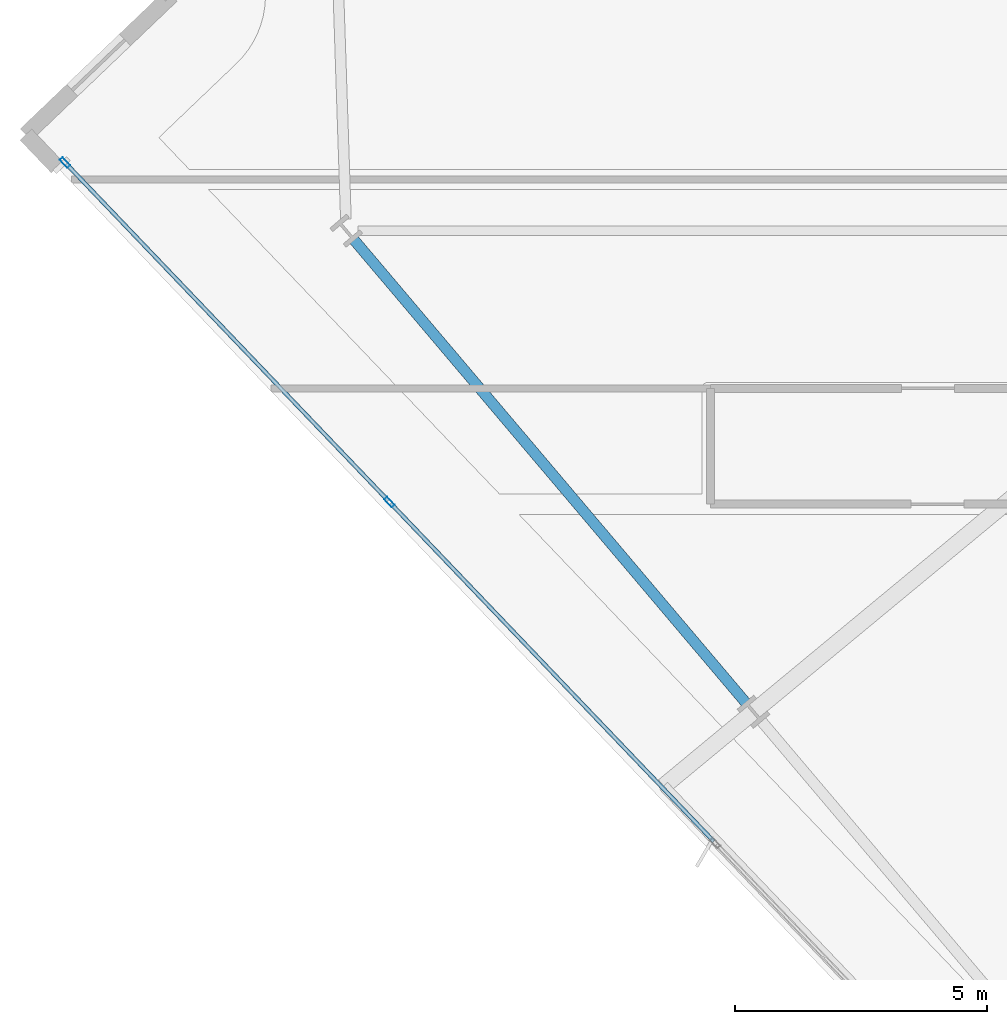
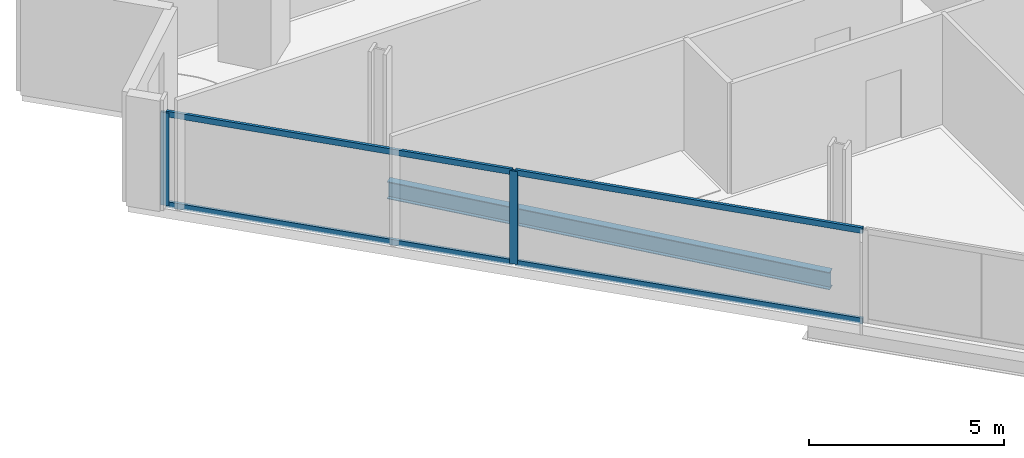
# One storey, part 4 of 33: 6 members, 1 beam, 1 element without a shape of its own.
"""IFC4 building model written with IfcOpenShell, lengths in metres."""

from ifc_helpers import new_model, si_unit, direction, frame, origin, origin_2d, place, context, subcontext, project, spatial, hollow_rectangle, i_section, extrude, material, material_profile, profile_set, type_object, element, aggregate, save


model = new_model("IFC4")

# Units and contexts
model_context = context("Model", 3, precision=1e-05, world=origin(), true_north=direction((0.0, 1.0)))
body_context = subcontext(model_context, "Body", "Model", "MODEL_VIEW")
ifc_project = project(units=[si_unit("LENGTHUNIT", "METRE"), si_unit("AREAUNIT", "SQUARE_METRE"), si_unit("VOLUMEUNIT", "CUBIC_METRE"), si_unit("PLANEANGLEUNIT", "RADIAN"), si_unit("MASSUNIT", "GRAM", prefix="KILO")], contexts=[model_context])

# Site, building, storey
site_placement = place(None, origin())
site = spatial("IfcSite", under=ifc_project, at=site_placement, CompositionType="ELEMENT")
building_placement = place(site_placement, origin())
building = spatial("IfcBuilding", under=site, at=building_placement, Name="Haldenkirk Collegiate Tower", CompositionType="ELEMENT")
storey_placement = place(building_placement, frame((0.0, 0.0, 174.449951171875)))
storey = spatial("IfcBuildingStorey", under=building, at=storey_placement, Name="L43", CompositionType="ELEMENT", Elevation=174.449951171875)

# Beam
ifc_material_1 = material(Name="Steel ASTM A992 Grade 50", Category="steel")
ifc_material_profile_1 = material_profile(ifc_material_1, i_section(OverallWidth=0.2119140625, OverallDepth=0.5439453125, WebThickness=0.01318359375, FlangeThickness=0.021240234375, at=origin_2d()), Name="W21X83")
ifc_profile_set_1 = profile_set([ifc_material_profile_1], Name="Steel ASTM A992 Grade 50")
beam_type = type_object("IfcBeamType", Name="BM-SPANDREL-W21X83", PredefinedType="SPANDREL", material=ifc_profile_set_1)
beam_placement = place(storey_placement, frame((11.111328125, 20.80859375, -0.56201171875), z_axis=(0.646126367676, -0.763230448157, 0.0), x_axis=(0.763230448157, 0.646126367676, 0.0)))
element("IfcBeam", 1, at=beam_placement, inside=storey, type_object=beam_type, Name="L43 perimeter spandrel beam 14", PredefinedType="SPANDREL", context=body_context, shape_type="SweptSolid", body=[
    extrude(i_section(OverallWidth=0.2119140625, OverallDepth=0.5439453125, WebThickness=0.01318359375, FlangeThickness=0.021240234375, at=origin_2d()), origin(), (0.0, 0.0, 1.0), 12.06494140625),
])

# Curtain wall, members
ifc_material_2 = material(Name="Anodised architectural bronze aluminium", Category="aluminium")
curtain_wall_type = type_object("IfcCurtainWallType", Name="CW-SYS1-CONVEX-LOW", PredefinedType="USERDEFINED", material=ifc_material_2)
curtain_wall_placement = place(storey_placement, origin())
curtain_wall = element("IfcCurtainWall", 2, at=curtain_wall_placement, inside=storey, type_object=curtain_wall_type, Name="L43 Lower tower convex bronze-framed unitised curtain wall", ObjectType="UNITISED CURTAIN WALL", PredefinedType="USERDEFINED")
ifc_material_profile_2 = material_profile(ifc_material_2, hollow_rectangle(XDim=0.080078125, YDim=0.219970703125, WallThickness=0.0048828125, at=origin_2d()), Name="CW-MUL-1A")
ifc_profile_set_2 = profile_set([ifc_material_profile_2], Name="Anodised architectural bronze aluminium")
member_type_1 = type_object("IfcMemberType", Name="CW-MUL-1A", PredefinedType="MULLION", material=ifc_profile_set_2)
member_1_placement = place(storey_placement, frame((11.8212890625, 15.59375, 0.0), z_axis=(0.0, 0.0, 1.0), x_axis=(-0.722967469611, -0.690882072342, 0.0)))
member_1 = element("IfcMember", 3, at=member_1_placement, type_object=member_type_1, Name="CW-1A mullion 4", PredefinedType="MULLION", context=body_context, shape_type="SweptSolid", body=[
    extrude(hollow_rectangle(XDim=0.080078125, YDim=0.219970703125, WallThickness=0.0048828125, at=origin_2d()), origin(), (0.0, 0.0, 1.0), 2.9111328125),
])
member_2_placement = place(storey_placement, frame((5.376220703125, 22.338134765625, 0.0), z_axis=(0.0, 0.0, 1.0), x_axis=(-0.722967469611, -0.690882072342, 0.0)))
member_2 = element("IfcMember", 4, at=member_2_placement, type_object=member_type_1, Name="CW-1A mullion 5", PredefinedType="MULLION", context=body_context, shape_type="SweptSolid", body=[
    extrude(hollow_rectangle(XDim=0.080078125, YDim=0.219970703125, WallThickness=0.0048828125, at=origin_2d()), origin(), (0.0, 0.0, 1.0), 2.9111328125),
])
ifc_material_profile_3 = material_profile(ifc_material_2, hollow_rectangle(XDim=0.080078125, YDim=0.179931640625, WallThickness=0.0048828125, at=origin_2d()), Name="CW-TRN-1A")
ifc_profile_set_3 = profile_set([ifc_material_profile_3], Name="Anodised architectural bronze aluminium")
member_type_2 = type_object("IfcMemberType", Name="CW-TRN-1A", PredefinedType="USERDEFINED", material=ifc_profile_set_3)
member_3_placement = place(storey_placement, frame((18.266357421875, 8.849365234375, 0.0400390625), z_axis=(-0.690891965297, 0.722958015577, 0.0), x_axis=(-0.722958015577, -0.690891965297, 0.0)))
member_3 = element("IfcMember", 5, at=member_3_placement, type_object=member_type_2, Name="CW-1A transom 3.1", ObjectType="TRANSOM", PredefinedType="USERDEFINED", context=body_context, shape_type="SweptSolid", body=[
    extrude(hollow_rectangle(XDim=0.080078125, YDim=0.179931640625, WallThickness=0.0048828125, at=origin_2d()), origin(), (0.0, 0.0, 1.0), 9.28857421875),
])
member_4_placement = place(storey_placement, frame((18.266357421875, 8.849365234375, 2.87109375), z_axis=(-0.690891965297, 0.722958015577, 0.0), x_axis=(-0.722958015577, -0.690891965297, 0.0)))
member_4 = element("IfcMember", 6, at=member_4_placement, type_object=member_type_2, Name="CW-1A transom 3.2", ObjectType="TRANSOM", PredefinedType="USERDEFINED", context=body_context, shape_type="SweptSolid", body=[
    extrude(hollow_rectangle(XDim=0.080078125, YDim=0.179931640625, WallThickness=0.0048828125, at=origin_2d()), origin(), (0.0, 0.0, 1.0), 9.28857421875),
])
member_5_placement = place(storey_placement, frame((11.79345703125, 15.62255859375, 0.0400390625), z_axis=(-0.690874942662, 0.722974282808, 0.0), x_axis=(-0.722974282808, -0.690874942662, 0.0)))
member_5 = element("IfcMember", 7, at=member_5_placement, type_object=member_type_2, Name="CW-1A transom 4.1", ObjectType="TRANSOM", PredefinedType="USERDEFINED", context=body_context, shape_type="SweptSolid", body=[
    extrude(hollow_rectangle(XDim=0.080078125, YDim=0.179931640625, WallThickness=0.0048828125, at=origin_2d()), origin(), (0.0, 0.0, 1.0), 9.24853515625),
])
member_6_placement = place(storey_placement, frame((11.79345703125, 15.62255859375, 2.87109375), z_axis=(-0.690874942662, 0.722974282808, 0.0), x_axis=(-0.722974282808, -0.690874942662, 0.0)))
member_6 = element("IfcMember", 8, at=member_6_placement, type_object=member_type_2, Name="CW-1A transom 4.2", ObjectType="TRANSOM", PredefinedType="USERDEFINED", context=body_context, shape_type="SweptSolid", body=[
    extrude(hollow_rectangle(XDim=0.080078125, YDim=0.179931640625, WallThickness=0.0048828125, at=origin_2d()), origin(), (0.0, 0.0, 1.0), 9.24853515625),
])
aggregate(curtain_wall, [member_1, member_2, member_3, member_4, member_5, member_6])

save(model, "model.ifc")
